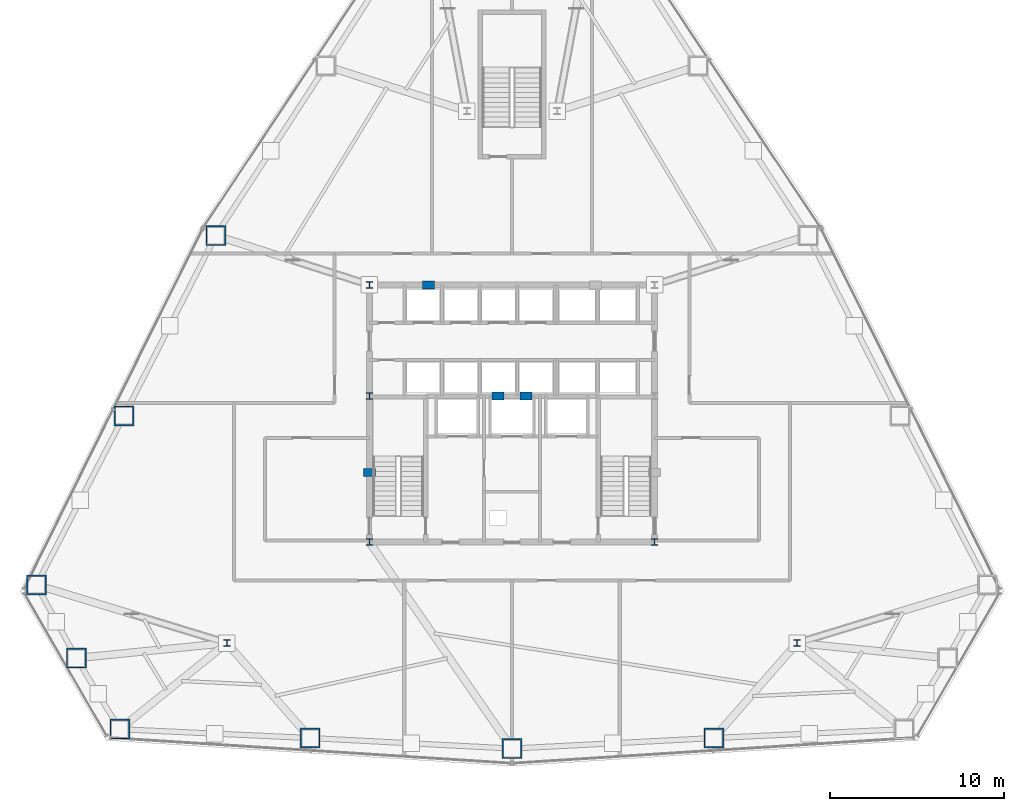
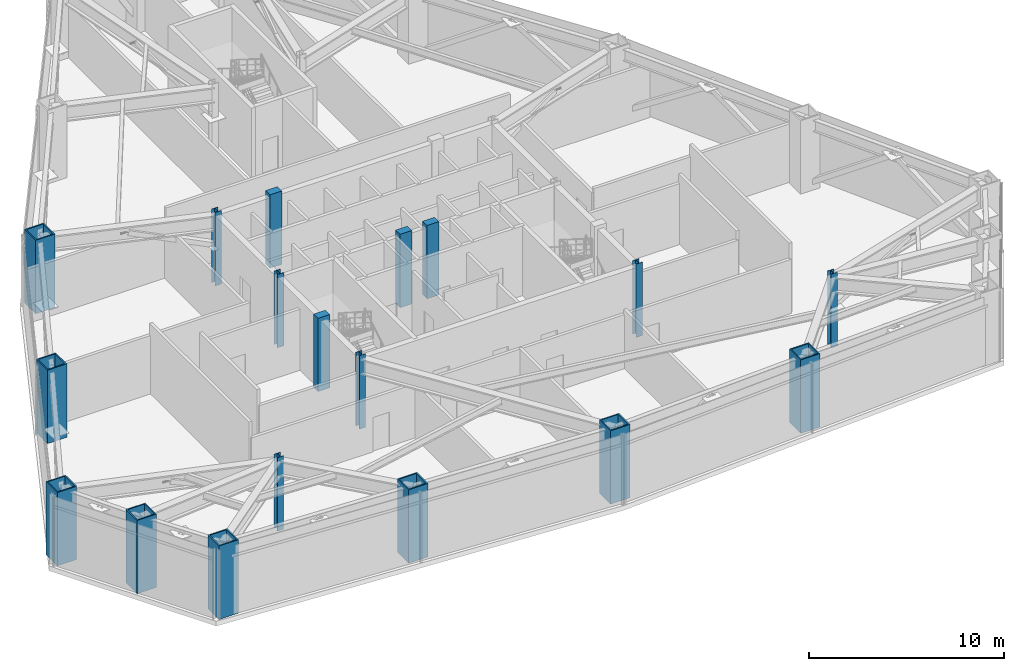
# One storey, part 1 of 12: 18 columns.
"""IFC4 building model written with IfcOpenShell, lengths in metres."""

from ifc_helpers import new_model, si_unit, direction, frame, origin, origin_2d, place, context, subcontext, project, spatial, rectangle, hollow_rectangle, i_section, extrude, material, material_profile, profile_set, type_object, element, save


model = new_model("IFC4")

# Units and contexts
model_context = context("Model", 3, precision=1e-05, world=origin(), true_north=direction((0.0, 1.0)))
body_context = subcontext(model_context, "Body", "Model", "MODEL_VIEW")
ifc_project = project(units=[si_unit("LENGTHUNIT", "METRE"), si_unit("AREAUNIT", "SQUARE_METRE"), si_unit("VOLUMEUNIT", "CUBIC_METRE"), si_unit("PLANEANGLEUNIT", "RADIAN"), si_unit("MASSUNIT", "GRAM", prefix="KILO")], contexts=[model_context])

# Site, building, storey
site_placement = place(None, origin())
site = spatial("IfcSite", under=ifc_project, at=site_placement, CompositionType="ELEMENT")
building_placement = place(site_placement, origin())
building = spatial("IfcBuilding", under=site, at=building_placement, Name="Varakhsha Concourse Tower", CompositionType="ELEMENT")
storey_placement = place(building_placement, frame((0.0, 0.0, 68.800048828125)))
storey = spatial("IfcBuildingStorey", under=building, at=storey_placement, Name="L19", CompositionType="ELEMENT", Elevation=68.800048828125)

# Columns
ifc_material_1 = material(Name="Structural Steel ASTM A992 Grade 50", Category="steel")
ifc_material_profile_1 = material_profile(ifc_material_1, i_section(OverallWidth=0.3740234375, OverallDepth=0.3720703125, WebThickness=0.01611328125, FlangeThickness=0.02587890625, at=origin_2d()), Name="W14X132")
ifc_profile_set_1 = profile_set([ifc_material_profile_1], Name="Structural Steel ASTM A992 Grade 50")
column_type_1 = type_object("IfcColumnType", Name="CL-CORE-W14X132", PredefinedType="COLUMN", material=ifc_profile_set_1)
for number, where, z_axis, x_axis, name in (
    (1, (31.800048828125, 16.39990234375, 0.0), (0.0, 0.0, 1.0), (1.0, 0.0, 0.0), "L19 Core Column CC-SW"),
    (2, (48.199951171875, 16.39990234375, 0.0), (0.0, 0.0, 1.0), (1.0, 0.0, 0.0), "L19 Core Column CC-SE"),
    (3, (31.800048828125, 24.800048828125, 0.0), (0.0, 0.0, 1.0), (1.0, 0.0, 0.0), "L19 Core Column CC-MW"),
    (4, (31.800048828125, 31.199951171875, 0.0), (0.0, 0.0, 1.0), (1.0, 0.0, 0.0), "L19 Core Column CC-NW"),
    (5, (23.60009765625, 10.60009765625, 0.0), (0.0, 0.0, 1.0), (1.0, 0.0, 0.0), "L19 Core Column SS-W"),
    (6, (56.39990234375, 10.60009765625, 0.0), (0.0, 0.0, 1.0), (1.0, 0.0, 0.0), "L19 Core Column SS-E"),
):
    element("IfcColumn", number, at=place(storey_placement, frame(where, z_axis=z_axis, x_axis=x_axis)), inside=storey, type_object=column_type_1, Name=name, PredefinedType="COLUMN", context=body_context, shape_type="SweptSolid", body=[
        extrude(i_section(OverallWidth=0.3740234375, OverallDepth=0.3720703125, WebThickness=0.01611328125, FlangeThickness=0.02587890625, at=origin_2d()), origin(), (0.0, 0.0, 1.0), 4.599853515625),
    ])
ifc_material_2 = material(Name="Concrete fc 65 MPa", Category="concrete")
ifc_material_profile_2 = material_profile(ifc_material_2, rectangle(XDim=0.699951171875, YDim=0.449951171875, at=origin_2d()), Name="RC 700x450")
ifc_profile_set_2 = profile_set([ifc_material_profile_2], Name="Concrete fc 65 MPa")
column_type_2 = type_object("IfcColumnType", Name="CL-PIL-700X450", PredefinedType="PILASTER", material=ifc_profile_set_2)
for number, where, z_axis, x_axis, name in (
    (7, (31.800048828125, 20.39990234375, 0.0), (0.0, 0.0, 1.0), (1.0, 0.0, 0.0), "L19 Core Boundary Pilaster PIL-W1"),
    (8, (35.199951171875, 31.199951171875, 0.0), (0.0, 0.0, 1.0), (1.0, 0.0, 0.0), "L19 Core Boundary Pilaster PIL-N1"),
    (9, (39.199951171875, 24.800048828125, 0.0), (0.0, 0.0, 1.0), (1.0, 0.0, 0.0), "L19 Core Boundary Pilaster PIL-M1"),
    (10, (40.800048828125, 24.800048828125, 0.0), (0.0, 0.0, 1.0), (1.0, 0.0, 0.0), "L19 Core Boundary Pilaster PIL-M2"),
):
    element("IfcColumn", number, at=place(storey_placement, frame(where, z_axis=z_axis, x_axis=x_axis)), inside=storey, type_object=column_type_2, Name=name, PredefinedType="PILASTER", context=body_context, shape_type="SweptSolid", body=[
        extrude(rectangle(XDim=0.699951171875, YDim=0.449951171875, at=origin_2d()), origin(), (0.0, 0.0, 1.0), 4.599853515625),
    ])
ifc_material_3 = material(Name="Structural Steel ASTM A572 Grade 50", Category="steel")
ifc_material_profile_3 = material_profile(ifc_material_3, hollow_rectangle(XDim=1.14990234375, YDim=1.14990234375, WallThickness=0.074951171875, at=origin_2d()), Name="BOX 1150x1150x75")
ifc_profile_set_3 = profile_set([ifc_material_profile_3], Name="Structural Steel ASTM A572 Grade 50")
column_type_3 = type_object("IfcColumnType", Name="CL-TUBE-1150", PredefinedType="COLUMN", material=ifc_profile_set_3)
for number, where, z_axis, x_axis, name in (
    (11, (22.965087890625, 34.03515625, 0.0), (0.0, 0.0, 1.0), (1.0, 0.0, 0.0), "L19 Framed-Tube Column TC05"),
    (12, (17.68359375, 23.672607421875, 0.0), (0.0, 0.0, 1.0), (1.0, 0.0, 0.0), "L19 Framed-Tube Column TC06"),
    (13, (12.6494140625, 13.94140625, 0.0), (0.0, 0.0, 1.0), (1.0, 0.0, 0.0), "L19 Framed-Tube Column TC07"),
    (14, (14.9423828125, 9.73291015625, 0.0), (0.0, 0.0, 1.0), (1.0, 0.0, 0.0), "L19 Framed-Tube Column TC08"),
    (15, (17.4404296875, 5.642822265625, 0.0), (0.0, 0.0, 1.0), (1.0, 0.0, 0.0), "L19 Framed-Tube Column TC09"),
    (16, (28.38525390625, 5.13720703125, 0.0), (0.0, 0.0, 1.0), (1.0, 0.0, 0.0), "L19 Framed-Tube Column TC10"),
    (17, (40.0, 4.52978515625, 0.0), (0.0, 0.0, 1.0), (1.0, 0.0, 0.0), "L19 Framed-Tube Column TC11"),
    (18, (51.61474609375, 5.13720703125, 0.0), (0.0, 0.0, 1.0), (1.0, 0.0, 0.0), "L19 Framed-Tube Column TC12"),
):
    element("IfcColumn", number, at=place(storey_placement, frame(where, z_axis=z_axis, x_axis=x_axis)), inside=storey, type_object=column_type_3, Name=name, PredefinedType="COLUMN", context=body_context, shape_type="SweptSolid", body=[
        extrude(hollow_rectangle(XDim=1.14990234375, YDim=1.14990234375, WallThickness=0.074951171875, at=origin_2d()), origin(), (0.0, 0.0, 1.0), 4.599853515625),
    ])

save(model, "model.ifc")
